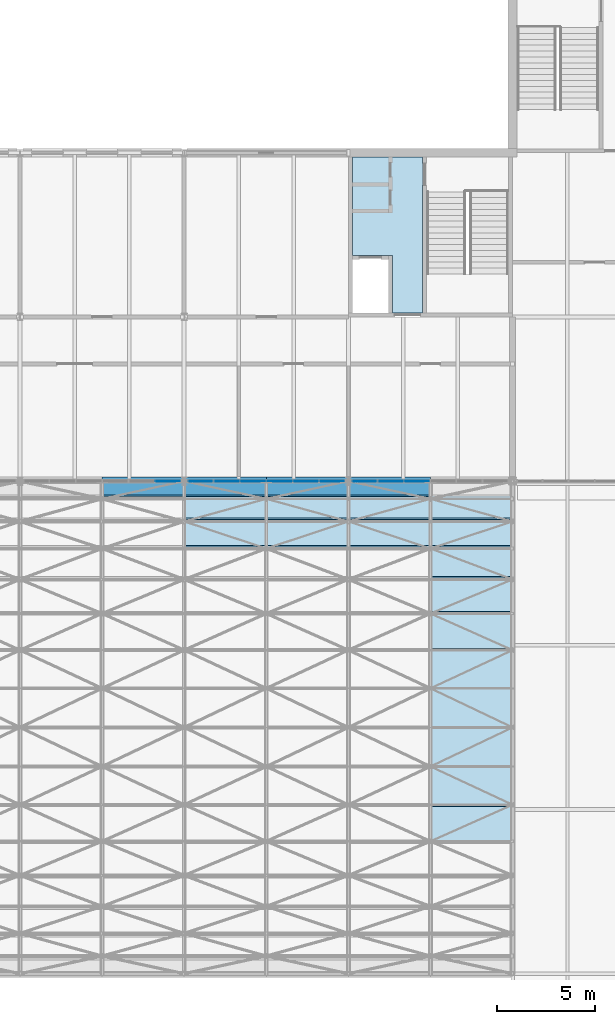
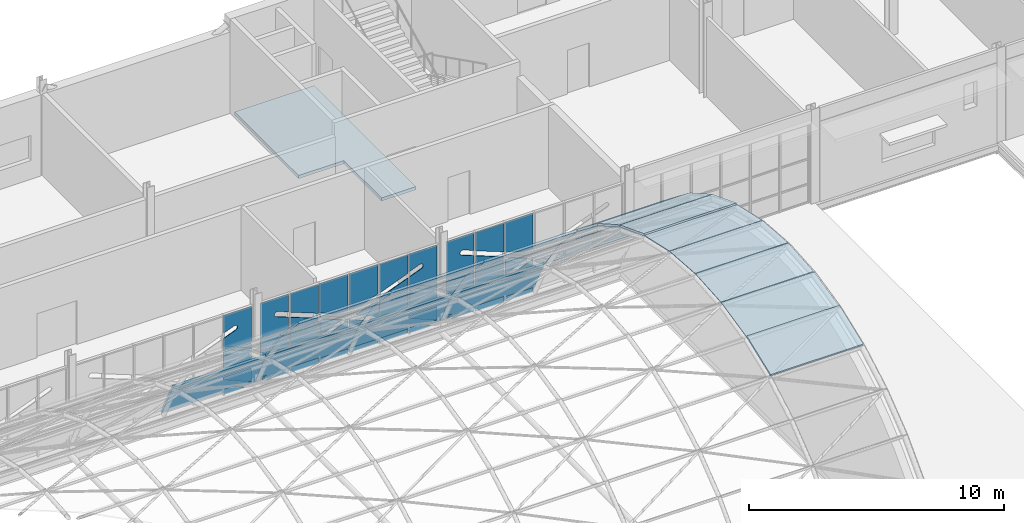
# One storey, part 78 of 121: 60 plates, 1 slab, 3 elements without a shape of their own.
"""IFC4 building model written with IfcOpenShell, lengths in metres."""

from ifc_helpers import new_model, si_unit, direction, frame, origin, place, context, subcontext, project, spatial, polyline, outline, extrude, material, layer, layer_set, type_object, element, aggregate, save


model = new_model("IFC4")

# Units and contexts
model_context = context("Model", 3, precision=1e-05, world=origin(), true_north=direction((0.0, 1.0)))
body_context = subcontext(model_context, "Body", "Model", "MODEL_VIEW")
ifc_project = project(units=[si_unit("LENGTHUNIT", "METRE"), si_unit("AREAUNIT", "SQUARE_METRE"), si_unit("VOLUMEUNIT", "CUBIC_METRE"), si_unit("PLANEANGLEUNIT", "RADIAN"), si_unit("MASSUNIT", "GRAM", prefix="KILO")], contexts=[model_context])

# Site, building, storey
site_placement = place(None, origin())
site = spatial("IfcSite", under=ifc_project, at=site_placement, CompositionType="ELEMENT")
building_placement = place(site_placement, origin())
building = spatial("IfcBuilding", under=site, at=building_placement, Name="Ardhachandra Cancer Care Centre", CompositionType="ELEMENT")
storey_placement = place(building_placement, frame((0.0, 0.0, 9.0)))
storey = spatial("IfcBuildingStorey", under=building, at=storey_placement, Name="L02", CompositionType="ELEMENT", Elevation=9.0)

# Slab
ifc_material_1 = material(Name="Concrete M40", Category="concrete")
ifc_layer_1 = layer(ifc_material_1, 0.14990234375)
ifc_layer_set_1 = layer_set([ifc_layer_1], Name="Concrete M40")
slab_type = type_object("IfcSlabType", Name="Core floor slab 150", PredefinedType="FLOOR", material=ifc_layer_set_1)
slab_placement = place(storey_placement, frame((0.0, 0.0, -0.14990234375)))
element("IfcSlab", 1, at=slab_placement, inside=storey, type_object=slab_type, Name="Core floor slab K7 L02 2", PredefinedType="FLOOR", context=body_context, shape_type="SweptSolid", body=[
    extrude(outline(polyline([(103.39990234375, 96.375), (103.39990234375, 91.35009765625), (105.25, 91.35009765625), (105.449951171875, 91.35009765625), (105.449951171875, 88.39990234375), (107.0, 88.39990234375), (107.0, 96.375), (103.39990234375, 96.375)])), origin(), (0.0, 0.0, 1.0), 0.14990234375),
])

# Curtain wall, plates
ifc_material_2 = material(Name="Aluminium extrusion", Category="aluminium")
ifc_layer_2 = layer(ifc_material_2, 0.14990234375)
ifc_layer_set_2 = layer_set([ifc_layer_2], Name="Aluminium extrusion")
curtain_wall_type = type_object("IfcCurtainWallType", Name="Curtain wall run", PredefinedType="NOTDEFINED", material=ifc_layer_set_2)
curtain_wall_1_placement = place(storey_placement, origin())
curtain_wall_1 = element("IfcCurtainWall", 2, at=curtain_wall_1_placement, inside=storey, type_object=curtain_wall_type, Name="Curtain wall L02 s/0086400_0079800", PredefinedType="NOTDEFINED")
ifc_material_3 = material(Name="Low-iron double-glazed unit")
ifc_layer_3 = layer(ifc_material_3, 0.028076171875)
ifc_layer_set_3 = layer_set([ifc_layer_3], Name="Low-iron double-glazed unit")
plate_type_1 = type_object("IfcPlateType", Name="Curtain wall glazing 28", PredefinedType="CURTAIN_PANEL", material=ifc_layer_set_3)
plate_1_placement = place(storey_placement, frame((93.330078125, 79.800048828125, 0.8701171875), z_axis=(0.0, 1.0, 0.0), x_axis=(1.0, 0.0, 0.0)))
plate_1 = element("IfcPlate", 3, at=plate_1_placement, type_object=plate_type_1, Name="CW panel 6.1", PredefinedType="CURTAIN_PANEL", context=body_context, shape_type="SweptSolid", body=[
    extrude(outline(polyline([(0.0, 0.0), (1.260009765625, 0.0), (1.260009765625, 0.6533203125), (0.0, 0.11669921875), (0.0, 0.0)])), origin(), (0.0, 0.0, 1.0), 0.028076171875),
])
plate_2_placement = place(storey_placement, frame((93.330078125, 79.800048828125, 0.06005859375), z_axis=(0.0, 1.0, 0.0), x_axis=(0.0, 0.0, 1.0)))
plate_2 = element("IfcPlate", 4, at=plate_2_placement, type_object=plate_type_1, Name="CW panel 6.1", PredefinedType="CURTAIN_PANEL", context=body_context, shape_type="SweptSolid", body=[
    extrude(outline(polyline([(0.0, 0.0), (0.438720703125, 0.0), (0.0, 1.030029296875), (0.0, 0.0)])), frame((0.0, 0.0, -0.028076171875)), (0.0, 0.0, 1.0), 0.028076171875),
])
plate_3_placement = place(storey_placement, frame((93.330078125, 79.800048828125, 0.929931640625), z_axis=(0.0, 1.0, 0.0), x_axis=(0.0, 0.0, 1.0)))
plate_3 = element("IfcPlate", 5, at=plate_3_placement, type_object=plate_type_1, Name="CW panel 6.2", PredefinedType="CURTAIN_PANEL", context=body_context, shape_type="SweptSolid", body=[
    extrude(outline(polyline([(0.0, 0.0), (1.14013671875, 0.0), (1.14013671875, 1.260009765625), (0.0, 1.260009765625), (0.0, 0.0)])), origin(), (0.0, 0.0, 1.0), 0.028076171875),
])
plate_4_placement = place(storey_placement, frame((93.330078125, 79.800048828125, 3.825927734375), z_axis=(0.0, 1.0, 0.0), x_axis=(1.0, 0.0, 0.0)))
plate_4 = element("IfcPlate", 6, at=plate_4_placement, type_object=plate_type_1, Name="CW panel 6.3", PredefinedType="CURTAIN_PANEL", context=body_context, shape_type="SweptSolid", body=[
    extrude(outline(polyline([(0.0, 0.0), (1.260009765625, 0.0), (1.260009765625, 1.696044921875), (0.0, 1.696044921875), (0.0, 1.0986328125), (0.572021484375, 0.875), (0.59130859375, 0.86279296875), (0.614990234375, 0.837646484375), (0.63037109375, 0.806884765625), (0.635986328125, 0.77294921875), (0.63427734375, 0.750244140625), (0.628173828125, 0.72802734375), (0.61767578125, 0.70751953125), (0.603515625, 0.689453125), (0.576416015625, 0.66845703125), (0.55517578125, 0.6591796875), (0.532958984375, 0.654296875), (0.510009765625, 0.65380859375), (0.476318359375, 0.661376953125), (0.0, 0.84716796875), (0.0, 0.0)])), origin(), (0.0, 0.0, 1.0), 0.028076171875),
])
aggregate(curtain_wall_1, [plate_1, plate_2, plate_3, plate_4])

curtain_wall_2_placement = place(storey_placement, origin())
curtain_wall_2 = element("IfcCurtainWall", 7, at=curtain_wall_2_placement, inside=storey, type_object=curtain_wall_type, Name="Curtain wall L02 s/0094800_0079800", PredefinedType="NOTDEFINED")
plate_5_placement = place(storey_placement, frame((96.27001953125, 79.800048828125, 0.06005859375), z_axis=(0.0, 1.0, 0.0), x_axis=(-1.0, 0.0, 0.0)))
plate_5 = element("IfcPlate", 8, at=plate_5_placement, type_object=plate_type_1, Name="CW panel 1.1", PredefinedType="CURTAIN_PANEL", context=body_context, shape_type="SweptSolid", body=[
    extrude(outline(polyline([(0.0, 0.0), (1.0302734375, 0.0), (0.0, 0.438720703125), (0.0, 0.0)])), origin(), (0.0, 0.0, 1.0), 0.028076171875),
])
plate_6_placement = place(storey_placement, frame((95.010009765625, 79.800048828125, 0.8701171875), z_axis=(0.0, 1.0, 0.0), x_axis=(1.0, 0.0, 0.0)))
plate_6 = element("IfcPlate", 9, at=plate_6_placement, type_object=plate_type_1, Name="CW panel 1.1", PredefinedType="CURTAIN_PANEL", context=body_context, shape_type="SweptSolid", body=[
    extrude(outline(polyline([(0.0, 0.0), (1.260009765625, 0.0), (1.260009765625, 0.11669921875), (0.0, 0.6533203125), (0.0, 0.0)])), frame((0.0, 0.0, -0.028076171875)), (0.0, 0.0, 1.0), 0.028076171875),
])
plate_7_placement = place(storey_placement, frame((95.010009765625, 79.800048828125, 0.929931640625), z_axis=(0.0, 1.0, 0.0), x_axis=(0.0, 0.0, 1.0)))
plate_7 = element("IfcPlate", 10, at=plate_7_placement, type_object=plate_type_1, Name="CW panel 1.2", PredefinedType="CURTAIN_PANEL", context=body_context, shape_type="SweptSolid", body=[
    extrude(outline(polyline([(0.0, 0.0), (1.14013671875, 0.0), (1.14013671875, 1.260009765625), (0.0, 1.260009765625), (0.0, 0.0)])), origin(), (0.0, 0.0, 1.0), 0.028076171875),
])
plate_8_placement = place(storey_placement, frame((96.27001953125, 79.800048828125, 2.1298828125), z_axis=(0.0, 1.0, 0.0), x_axis=(-1.0, 0.0, 0.0)))
plate_8 = element("IfcPlate", 11, at=plate_8_placement, type_object=plate_type_1, Name="CW panel 1.3", PredefinedType="CURTAIN_PANEL", context=body_context, shape_type="SweptSolid", body=[
    extrude(outline(polyline([(0.0, 0.0), (1.260009765625, 0.0), (1.260009765625, 1.696044921875), (0.0, 1.696044921875), (0.0, 0.848876953125), (0.4765625, 1.03466796875), (0.510009765625, 1.042236328125), (0.532958984375, 1.041748046875), (0.555419921875, 1.036865234375), (0.576416015625, 1.027587890625), (0.603515625, 1.006591796875), (0.61767578125, 0.988525390625), (0.628173828125, 0.968017578125), (0.63427734375, 0.94580078125), (0.63623046875, 0.923095703125), (0.63037109375, 0.88916015625), (0.62109375, 0.8681640625), (0.60009765625, 0.8408203125), (0.572021484375, 0.821044921875), (0.0, 0.597412109375), (0.0, 0.0)])), origin(), (0.0, 0.0, 1.0), 0.028076171875),
])
plate_9_placement = place(storey_placement, frame((97.6201171875, 79.800048828125, 0.8701171875), z_axis=(0.0, 1.0, 0.0), x_axis=(0.0, 0.0, -1.0)))
plate_9 = element("IfcPlate", 12, at=plate_9_placement, type_object=plate_type_1, Name="CW panel 2.1", PredefinedType="CURTAIN_PANEL", context=body_context, shape_type="SweptSolid", body=[
    extrude(outline(polyline([(0.0, 0.0), (0.81005859375, 0.0), (0.81005859375, 1.2900390625), (0.345703125, 1.2900390625), (0.0, 0.478515625), (0.0, 0.0)])), frame((0.0, 0.0, -0.028076171875)), (0.0, 0.0, 1.0), 0.028076171875),
])
plate_10_placement = place(storey_placement, frame((96.330078125, 79.800048828125, 0.929931640625), z_axis=(0.0, 1.0, 0.0), x_axis=(0.0, 0.0, 1.0)))
plate_10 = element("IfcPlate", 13, at=plate_10_placement, type_object=plate_type_1, Name="CW panel 2.2", PredefinedType="CURTAIN_PANEL", context=body_context, shape_type="SweptSolid", body=[
    extrude(outline(polyline([(0.0, 0.0), (1.14013671875, 0.0), (1.14013671875, 1.2900390625), (0.3984375, 1.2900390625), (0.0, 0.3544921875), (0.0, 0.0)])), origin(), (0.0, 0.0, 1.0), 0.028076171875),
])
plate_11_placement = place(storey_placement, frame((97.6201171875, 79.800048828125, 2.1298828125), z_axis=(0.0, 1.0, 0.0), x_axis=(-1.0, 0.0, 0.0)))
plate_11 = element("IfcPlate", 14, at=plate_11_placement, type_object=plate_type_1, Name="CW panel 2.3", PredefinedType="CURTAIN_PANEL", context=body_context, shape_type="SweptSolid", body=[
    extrude(outline(polyline([(0.0, 0.0), (1.2900390625, 0.0), (1.2900390625, 0.573974609375), (0.0, 0.0712890625), (0.0, 0.0)])), origin(), (0.0, 0.0, 1.0), 0.028076171875),
])
plate_12_placement = place(storey_placement, frame((96.330078125, 79.800048828125, 3.825927734375), z_axis=(0.0, 1.0, 0.0), x_axis=(1.0, 0.0, 0.0)))
plate_12 = element("IfcPlate", 15, at=plate_12_placement, type_object=plate_type_1, Name="CW panel 2.3", PredefinedType="CURTAIN_PANEL", context=body_context, shape_type="SweptSolid", body=[
    extrude(outline(polyline([(0.0, 0.0), (1.2900390625, 0.0), (1.2900390625, 1.373291015625), (0.0, 0.87060546875), (0.0, 0.0)])), frame((0.0, 0.0, -0.028076171875)), (0.0, 0.0, 1.0), 0.028076171875),
])
plate_13_placement = place(storey_placement, frame((97.679931640625, 79.800048828125, 0.06005859375), z_axis=(0.0, 1.0, 0.0), x_axis=(0.0, 0.0, 1.0)))
plate_13 = element("IfcPlate", 16, at=plate_13_placement, type_object=plate_type_1, Name="CW panel 3.1", PredefinedType="CURTAIN_PANEL", context=body_context, shape_type="SweptSolid", body=[
    extrude(outline(polyline([(0.0, 0.0), (0.81005859375, 0.0), (0.81005859375, 1.2900390625), (0.0, 1.2900390625), (0.0, 0.0)])), origin(), (0.0, 0.0, 1.0), 0.028076171875),
])
plate_14_placement = place(storey_placement, frame((98.969970703125, 79.800048828125, 0.929931640625), z_axis=(0.0, 1.0, 0.0), x_axis=(-1.0, 0.0, 0.0)))
plate_14 = element("IfcPlate", 17, at=plate_14_placement, type_object=plate_type_1, Name="CW panel 3.2", PredefinedType="CURTAIN_PANEL", context=body_context, shape_type="SweptSolid", body=[
    extrude(outline(polyline([(0.0, 0.0), (1.2900390625, 0.0), (1.2900390625, 0.16943359375), (0.0, 0.718994140625), (0.0, 0.0)])), origin(), (0.0, 0.0, 1.0), 0.028076171875),
])
plate_15_placement = place(storey_placement, frame((97.679931640625, 79.800048828125, 2.070068359375), z_axis=(0.0, 1.0, 0.0), x_axis=(1.0, 0.0, 0.0)))
plate_15 = element("IfcPlate", 18, at=plate_15_placement, type_object=plate_type_1, Name="CW panel 3.2", PredefinedType="CURTAIN_PANEL", context=body_context, shape_type="SweptSolid", body=[
    extrude(outline(polyline([(0.0, 0.0), (0.2763671875, 0.0), (1.009765625, 0.285888671875), (0.0, 0.716064453125), (0.0, 0.0)])), frame((0.0, 0.0, -0.028076171875)), (0.0, 0.0, 1.0), 0.028076171875),
])
plate_16_placement = place(storey_placement, frame((97.679931640625, 79.800048828125, 3.825927734375), z_axis=(0.0, 1.0, 0.0), x_axis=(1.0, 0.0, 0.0)))
plate_16 = element("IfcPlate", 19, at=plate_16_placement, type_object=plate_type_1, Name="CW panel 3.3", PredefinedType="CURTAIN_PANEL", context=body_context, shape_type="SweptSolid", body=[
    extrude(outline(polyline([(0.0, 0.0), (1.2900390625, 0.0), (1.2900390625, 1.696044921875), (0.767578125, 1.696044921875), (0.0, 1.396728515625), (0.0, 0.0)])), origin(), (0.0, 0.0, 1.0), 0.028076171875),
])
plate_17_placement = place(storey_placement, frame((99.030029296875, 79.800048828125, 0.06005859375), z_axis=(0.0, 1.0, 0.0), x_axis=(0.0, 0.0, 1.0)))
plate_17 = element("IfcPlate", 20, at=plate_17_placement, type_object=plate_type_1, Name="CW panel 4.1", PredefinedType="CURTAIN_PANEL", context=body_context, shape_type="SweptSolid", body=[
    extrude(outline(polyline([(0.0, 0.0), (0.81005859375, 0.0), (0.81005859375, 1.2900390625), (0.0, 1.2900390625), (0.0, 0.0)])), origin(), (0.0, 0.0, 1.0), 0.028076171875),
])
plate_18_placement = place(storey_placement, frame((100.320068359375, 79.800048828125, 0.929931640625), z_axis=(0.0, 1.0, 0.0), x_axis=(-1.0, 0.0, 0.0)))
plate_18 = element("IfcPlate", 21, at=plate_18_placement, type_object=plate_type_1, Name="CW panel 4.2", PredefinedType="CURTAIN_PANEL", context=body_context, shape_type="SweptSolid", body=[
    extrude(outline(polyline([(0.0, 0.0), (1.2900390625, 0.0), (1.2900390625, 0.718994140625), (0.0, 0.16943359375), (0.0, 0.0)])), origin(), (0.0, 0.0, 1.0), 0.028076171875),
])
plate_19_placement = place(storey_placement, frame((100.320068359375, 79.800048828125, 2.070068359375), z_axis=(0.0, 1.0, 0.0), x_axis=(0.0, 0.0, -1.0)))
plate_19 = element("IfcPlate", 22, at=plate_19_placement, type_object=plate_type_1, Name="CW panel 4.2", PredefinedType="CURTAIN_PANEL", context=body_context, shape_type="SweptSolid", body=[
    extrude(outline(polyline([(0.0, 0.0), (0.716064453125, 0.0), (0.285888671875, 1.009765625), (0.0, 0.2763671875), (0.0, 0.0)])), frame((0.0, 0.0, -0.028076171875)), (0.0, 0.0, 1.0), 0.028076171875),
])
plate_20_placement = place(storey_placement, frame((99.030029296875, 79.800048828125, 2.1298828125), z_axis=(0.0, 1.0, 0.0), x_axis=(0.0, 0.0, 1.0)))
plate_20 = element("IfcPlate", 23, at=plate_20_placement, type_object=plate_type_1, Name="CW panel 4.3", PredefinedType="CURTAIN_PANEL", context=body_context, shape_type="SweptSolid", body=[
    extrude(outline(polyline([(0.0, 0.0), (1.696044921875, 0.0), (1.696044921875, 1.2900390625), (0.29931640625, 1.2900390625), (0.0, 0.5224609375), (0.0, 0.0)])), origin(), (0.0, 0.0, 1.0), 0.028076171875),
])
plate_21_placement = place(storey_placement, frame((101.669921875, 79.800048828125, 0.06005859375), z_axis=(0.0, 1.0, 0.0), x_axis=(-1.0, 0.0, 0.0)))
plate_21 = element("IfcPlate", 24, at=plate_21_placement, type_object=plate_type_1, Name="CW panel 5.1", PredefinedType="CURTAIN_PANEL", context=body_context, shape_type="SweptSolid", body=[
    extrude(outline(polyline([(0.0, 0.0), (1.2900390625, 0.0), (1.2900390625, 0.81005859375), (0.8115234375, 0.81005859375), (0.0, 0.46435546875), (0.0, 0.0)])), origin(), (0.0, 0.0, 1.0), 0.028076171875),
])
plate_22_placement = place(storey_placement, frame((100.3798828125, 79.800048828125, 2.070068359375), z_axis=(0.0, 1.0, 0.0), x_axis=(1.0, 0.0, 0.0)))
plate_22 = element("IfcPlate", 25, at=plate_22_placement, type_object=plate_type_1, Name="CW panel 5.2", PredefinedType="CURTAIN_PANEL", context=body_context, shape_type="SweptSolid", body=[
    extrude(outline(polyline([(0.0, 0.0), (1.2900390625, 0.0), (1.2900390625, 1.14013671875), (0.935546875, 1.14013671875), (0.0, 0.74169921875), (0.0, 0.0)])), origin(), (0.0, 0.0, 1.0), 0.028076171875),
])
plate_23_placement = place(storey_placement, frame((101.669921875, 79.800048828125, 2.1298828125), z_axis=(0.0, 1.0, 0.0), x_axis=(-1.0, 0.0, 0.0)))
plate_23 = element("IfcPlate", 26, at=plate_23_placement, type_object=plate_type_1, Name="CW panel 5.3", PredefinedType="CURTAIN_PANEL", context=body_context, shape_type="SweptSolid", body=[
    extrude(outline(polyline([(0.0, 0.0), (1.2900390625, 0.0), (1.2900390625, 0.0712890625), (0.0, 0.573974609375), (0.0, 0.0)])), origin(), (0.0, 0.0, 1.0), 0.028076171875),
])
plate_24_placement = place(storey_placement, frame((100.3798828125, 79.800048828125, 3.825927734375), z_axis=(0.0, 1.0, 0.0), x_axis=(1.0, 0.0, 0.0)))
plate_24 = element("IfcPlate", 27, at=plate_24_placement, type_object=plate_type_1, Name="CW panel 5.3", PredefinedType="CURTAIN_PANEL", context=body_context, shape_type="SweptSolid", body=[
    extrude(outline(polyline([(0.0, 0.0), (1.2900390625, 0.0), (1.2900390625, 0.87060546875), (0.0, 1.373291015625), (0.0, 0.0)])), frame((0.0, 0.0, -0.028076171875)), (0.0, 0.0, 1.0), 0.028076171875),
])
plate_25_placement = place(storey_placement, frame((101.72998046875, 79.800048828125, 0.8701171875), z_axis=(0.0, 1.0, 0.0), x_axis=(1.0, 0.0, 0.0)))
plate_25 = element("IfcPlate", 28, at=plate_25_placement, type_object=plate_type_1, Name="CW panel 6.1", PredefinedType="CURTAIN_PANEL", context=body_context, shape_type="SweptSolid", body=[
    extrude(outline(polyline([(0.0, 0.0), (1.260009765625, 0.0), (1.260009765625, 0.6533203125), (0.0, 0.11669921875), (0.0, 0.0)])), origin(), (0.0, 0.0, 1.0), 0.028076171875),
])
plate_26_placement = place(storey_placement, frame((101.72998046875, 79.800048828125, 0.06005859375), z_axis=(0.0, 1.0, 0.0), x_axis=(0.0, 0.0, 1.0)))
plate_26 = element("IfcPlate", 29, at=plate_26_placement, type_object=plate_type_1, Name="CW panel 6.1", PredefinedType="CURTAIN_PANEL", context=body_context, shape_type="SweptSolid", body=[
    extrude(outline(polyline([(0.0, 0.0), (0.438720703125, 0.0), (0.0, 1.0302734375), (0.0, 0.0)])), frame((0.0, 0.0, -0.028076171875)), (0.0, 0.0, 1.0), 0.028076171875),
])
plate_27_placement = place(storey_placement, frame((101.72998046875, 79.800048828125, 0.929931640625), z_axis=(0.0, 1.0, 0.0), x_axis=(0.0, 0.0, 1.0)))
plate_27 = element("IfcPlate", 30, at=plate_27_placement, type_object=plate_type_1, Name="CW panel 6.2", PredefinedType="CURTAIN_PANEL", context=body_context, shape_type="SweptSolid", body=[
    extrude(outline(polyline([(0.0, 0.0), (1.14013671875, 0.0), (1.14013671875, 1.260009765625), (0.0, 1.260009765625), (0.0, 0.0)])), origin(), (0.0, 0.0, 1.0), 0.028076171875),
])
plate_28_placement = place(storey_placement, frame((101.72998046875, 79.800048828125, 3.825927734375), z_axis=(0.0, 1.0, 0.0), x_axis=(1.0, 0.0, 0.0)))
plate_28 = element("IfcPlate", 31, at=plate_28_placement, type_object=plate_type_1, Name="CW panel 6.3", PredefinedType="CURTAIN_PANEL", context=body_context, shape_type="SweptSolid", body=[
    extrude(outline(polyline([(0.0, 0.0), (1.260009765625, 0.0), (1.260009765625, 1.696044921875), (0.0, 1.696044921875), (0.0, 1.0986328125), (0.572021484375, 0.875), (0.59130859375, 0.86279296875), (0.614990234375, 0.837646484375), (0.63037109375, 0.806884765625), (0.63623046875, 0.77294921875), (0.63427734375, 0.750244140625), (0.628173828125, 0.72802734375), (0.61767578125, 0.70751953125), (0.603515625, 0.689453125), (0.576416015625, 0.66845703125), (0.555419921875, 0.6591796875), (0.532958984375, 0.654296875), (0.510009765625, 0.65380859375), (0.4765625, 0.661376953125), (0.0, 0.84716796875), (0.0, 0.0)])), origin(), (0.0, 0.0, 1.0), 0.028076171875),
])
aggregate(curtain_wall_2, [plate_5, plate_6, plate_7, plate_8, plate_9, plate_10, plate_11, plate_12, plate_13, plate_14, plate_15, plate_16, plate_17, plate_18, plate_19, plate_20, plate_21, plate_22, plate_23, plate_24, plate_25, plate_26, plate_27, plate_28])

curtain_wall_3_placement = place(storey_placement, origin())
curtain_wall_3 = element("IfcCurtainWall", 32, at=curtain_wall_3_placement, inside=storey, type_object=curtain_wall_type, Name="Curtain wall L02 s/0103200_0079800", PredefinedType="NOTDEFINED")
plate_29_placement = place(storey_placement, frame((104.662109375, 79.800048828125, 0.06005859375), z_axis=(0.0, 1.0, 0.0), x_axis=(-1.0, 0.0, 0.0)))
plate_29 = element("IfcPlate", 33, at=plate_29_placement, type_object=plate_type_1, Name="CW panel 1.1", PredefinedType="CURTAIN_PANEL", context=body_context, shape_type="SweptSolid", body=[
    extrude(outline(polyline([(0.0, 0.0), (1.022216796875, 0.0), (0.0, 0.435302734375), (0.0, 0.0)])), origin(), (0.0, 0.0, 1.0), 0.028076171875),
])
plate_30_placement = place(storey_placement, frame((103.409912109375, 79.800048828125, 0.8701171875), z_axis=(0.0, 1.0, 0.0), x_axis=(1.0, 0.0, 0.0)))
plate_30 = element("IfcPlate", 34, at=plate_30_placement, type_object=plate_type_1, Name="CW panel 1.1", PredefinedType="CURTAIN_PANEL", context=body_context, shape_type="SweptSolid", body=[
    extrude(outline(polyline([(0.0, 0.0), (1.252197265625, 0.0), (1.252197265625, 0.1201171875), (0.0, 0.6533203125), (0.0, 0.0)])), frame((0.0, 0.0, -0.028076171875)), (0.0, 0.0, 1.0), 0.028076171875),
])
plate_31_placement = place(storey_placement, frame((103.409912109375, 79.800048828125, 0.929931640625), z_axis=(0.0, 1.0, 0.0), x_axis=(0.0, 0.0, 1.0)))
plate_31 = element("IfcPlate", 35, at=plate_31_placement, type_object=plate_type_1, Name="CW panel 1.2", PredefinedType="CURTAIN_PANEL", context=body_context, shape_type="SweptSolid", body=[
    extrude(outline(polyline([(0.0, 0.0), (1.14013671875, 0.0), (1.14013671875, 1.252197265625), (0.0, 1.252197265625), (0.0, 0.0)])), origin(), (0.0, 0.0, 1.0), 0.028076171875),
])
plate_32_placement = place(storey_placement, frame((104.662109375, 79.800048828125, 2.1298828125), z_axis=(0.0, 1.0, 0.0), x_axis=(-1.0, 0.0, 0.0)))
plate_32 = element("IfcPlate", 36, at=plate_32_placement, type_object=plate_type_1, Name="CW panel 1.3", PredefinedType="CURTAIN_PANEL", context=body_context, shape_type="SweptSolid", body=[
    extrude(outline(polyline([(0.0, 0.0), (1.252197265625, 0.0), (1.252197265625, 1.696044921875), (0.0, 1.696044921875), (0.0, 0.85205078125), (0.468505859375, 1.03466796875), (0.502197265625, 1.042236328125), (0.525146484375, 1.041748046875), (0.54736328125, 1.036865234375), (0.568603515625, 1.027587890625), (0.595703125, 1.006591796875), (0.60986328125, 0.988525390625), (0.620361328125, 0.968017578125), (0.62646484375, 0.94580078125), (0.628173828125, 0.923095703125), (0.62255859375, 0.88916015625), (0.61328125, 0.8681640625), (0.59228515625, 0.8408203125), (0.564208984375, 0.821044921875), (0.0, 0.6005859375), (0.0, 0.0)])), origin(), (0.0, 0.0, 1.0), 0.028076171875),
])
plate_33_placement = place(storey_placement, frame((106.004150390625, 79.800048828125, 0.8701171875), z_axis=(0.0, 1.0, 0.0), x_axis=(0.0, 0.0, -1.0)))
plate_33 = element("IfcPlate", 37, at=plate_33_placement, type_object=plate_type_1, Name="CW panel 2.1", PredefinedType="CURTAIN_PANEL", context=body_context, shape_type="SweptSolid", body=[
    extrude(outline(polyline([(0.0, 0.0), (0.81005859375, 0.0), (0.81005859375, 1.281982421875), (0.34912109375, 1.281982421875), (0.0, 0.462646484375), (0.0, 0.0)])), frame((0.0, 0.0, -0.028076171875)), (0.0, 0.0, 1.0), 0.028076171875),
])
plate_34_placement = place(storey_placement, frame((104.72216796875, 79.800048828125, 0.929931640625), z_axis=(0.0, 1.0, 0.0), x_axis=(0.0, 0.0, 1.0)))
plate_34 = element("IfcPlate", 38, at=plate_34_placement, type_object=plate_type_1, Name="CW panel 2.2", PredefinedType="CURTAIN_PANEL", context=body_context, shape_type="SweptSolid", body=[
    extrude(outline(polyline([(0.0, 0.0), (1.14013671875, 0.0), (1.14013671875, 1.281982421875), (0.391845703125, 1.281982421875), (0.0, 0.3623046875), (0.0, 0.0)])), origin(), (0.0, 0.0, 1.0), 0.028076171875),
])
plate_35_placement = place(storey_placement, frame((106.004150390625, 79.800048828125, 2.1298828125), z_axis=(0.0, 1.0, 0.0), x_axis=(-1.0, 0.0, 0.0)))
plate_35 = element("IfcPlate", 39, at=plate_35_placement, type_object=plate_type_1, Name="CW panel 2.3", PredefinedType="CURTAIN_PANEL", context=body_context, shape_type="SweptSolid", body=[
    extrude(outline(polyline([(0.0, 0.0), (1.281982421875, 0.0), (1.281982421875, 0.5771484375), (0.0, 0.077392578125), (0.0, 0.0)])), origin(), (0.0, 0.0, 1.0), 0.028076171875),
])
plate_36_placement = place(storey_placement, frame((104.72216796875, 79.800048828125, 3.825927734375), z_axis=(0.0, 1.0, 0.0), x_axis=(1.0, 0.0, 0.0)))
plate_36 = element("IfcPlate", 40, at=plate_36_placement, type_object=plate_type_1, Name="CW panel 2.3", PredefinedType="CURTAIN_PANEL", context=body_context, shape_type="SweptSolid", body=[
    extrude(outline(polyline([(0.0, 0.0), (1.281982421875, 0.0), (1.281982421875, 1.3671875), (0.0, 0.867431640625), (0.0, 0.0)])), frame((0.0, 0.0, -0.028076171875)), (0.0, 0.0, 1.0), 0.028076171875),
])
plate_37_placement = place(storey_placement, frame((106.064208984375, 79.800048828125, 0.06005859375), z_axis=(0.0, 1.0, 0.0), x_axis=(0.0, 0.0, 1.0)))
plate_37 = element("IfcPlate", 41, at=plate_37_placement, type_object=plate_type_1, Name="CW panel 3.1", PredefinedType="CURTAIN_PANEL", context=body_context, shape_type="SweptSolid", body=[
    extrude(outline(polyline([(0.0, 0.0), (0.81005859375, 0.0), (0.81005859375, 1.281982421875), (0.0, 1.281982421875), (0.0, 0.0)])), origin(), (0.0, 0.0, 1.0), 0.028076171875),
])
plate_38_placement = place(storey_placement, frame((107.34619140625, 79.800048828125, 0.929931640625), z_axis=(0.0, 1.0, 0.0), x_axis=(-1.0, 0.0, 0.0)))
plate_38 = element("IfcPlate", 42, at=plate_38_placement, type_object=plate_type_1, Name="CW panel 3.2", PredefinedType="CURTAIN_PANEL", context=body_context, shape_type="SweptSolid", body=[
    extrude(outline(polyline([(0.0, 0.0), (1.281982421875, 0.0), (1.281982421875, 0.16259765625), (0.0, 0.708740234375), (0.0, 0.0)])), origin(), (0.0, 0.0, 1.0), 0.028076171875),
])
plate_39_placement = place(storey_placement, frame((106.064208984375, 79.800048828125, 2.070068359375), z_axis=(0.0, 1.0, 0.0), x_axis=(1.0, 0.0, 0.0)))
plate_39 = element("IfcPlate", 43, at=plate_39_placement, type_object=plate_type_1, Name="CW panel 3.2", PredefinedType="CURTAIN_PANEL", context=body_context, shape_type="SweptSolid", body=[
    extrude(outline(polyline([(0.0, 0.0), (0.2919921875, 0.0), (1.025634765625, 0.285888671875), (0.0, 0.722900390625), (0.0, 0.0)])), frame((0.0, 0.0, -0.028076171875)), (0.0, 0.0, 1.0), 0.028076171875),
])
plate_40_placement = place(storey_placement, frame((106.064208984375, 79.800048828125, 3.825927734375), z_axis=(0.0, 1.0, 0.0), x_axis=(1.0, 0.0, 0.0)))
plate_40 = element("IfcPlate", 44, at=plate_40_placement, type_object=plate_type_1, Name="CW panel 3.3", PredefinedType="CURTAIN_PANEL", context=body_context, shape_type="SweptSolid", body=[
    extrude(outline(polyline([(0.0, 0.0), (1.281982421875, 0.0), (1.281982421875, 1.696044921875), (0.783203125, 1.696044921875), (0.0, 1.390625), (0.0, 0.0)])), origin(), (0.0, 0.0, 1.0), 0.028076171875),
])
aggregate(curtain_wall_3, [plate_29, plate_30, plate_31, plate_32, plate_33, plate_34, plate_35, plate_36, plate_37, plate_38, plate_39, plate_40])

# Plates
ifc_material_4 = material(Name="Laminated heat-strengthened double-glazed unit")
ifc_layer_4 = layer(ifc_material_4, 0.035888671875)
ifc_layer_set_4 = layer_set([ifc_layer_4], Name="Laminated heat-strengthened double-glazed unit")
plate_type_2 = type_object("IfcPlateType", Name="Gridshell glazing 36", PredefinedType="SHEET", material=ifc_layer_set_4)
for number, where, z_axis, x_axis, name in (
    (45, (107.39990234375, 63.2177734375, 7.93359375), (0.0, -0.218735449514, 0.975784199055), (1.0, 0.0, 0.0), "Glazed cell H 16.7"),
    (46, (107.39990234375, 65.191650390625, 8.374755859375), (0.0, -0.073436541071, 0.997299891926), (1.0, 0.0, 0.0), "Glazed cell H 16.8"),
    (47, (107.39990234375, 67.208984375, 8.52197265625), (0.0, 0.073436541071, 0.997299891926), (1.0, 0.0, 0.0), "Glazed cell H 16.9"),
):
    element("IfcPlate", number, at=place(storey_placement, frame(where, z_axis=z_axis, x_axis=x_axis)), inside=storey, type_object=plate_type_2, Name=name, PredefinedType="SHEET", context=body_context, shape_type="SweptSolid", body=[
        extrude(outline(polyline([(0.0, 0.0), (4.2001953125, 0.0), (4.2001953125, 2.004638671875), (0.0, 2.004638671875), (0.0, 0.0)])), origin(), (0.0, 0.0, 1.0), 0.035888671875),
    ])
plate_41_placement = place(storey_placement, frame((107.39990234375, 69.22607421875, 8.3720703125), z_axis=(0.0, 0.218709457766, 0.9757900251), x_axis=(1.0, 0.0, 0.0)))
element("IfcPlate", 48, at=plate_41_placement, inside=storey, type_object=plate_type_2, Name="Glazed cell H 16.10", PredefinedType="SHEET", context=body_context, shape_type="SweptSolid", body=[
    extrude(outline(polyline([(0.0, 0.0), (4.2001953125, 0.0), (4.2001953125, 2.0048828125), (0.0, 2.0048828125), (0.0, 0.0)])), origin(), (0.0, 0.0, 1.0), 0.035888671875),
])
ifc_material_5 = material(Name="Insulated metal roof panel (galvalume skins, PIR core)")
ifc_layer_5 = layer(ifc_material_5, 0.10009765625)
ifc_layer_set_5 = layer_set([ifc_layer_5], Name="Insulated metal roof panel (galvalume skins, PIR core)")
plate_type_3 = type_object("IfcPlateType", Name="Gridshell insulated panel 100", PredefinedType="SHEET", material=ifc_layer_set_5)
plate_42_placement = place(storey_placement, frame((90.60009765625, 79.004150390625, 1.843994140625), z_axis=(0.0, 0.892298140355, 0.451446595645), x_axis=(1.0, 0.0, 0.0)))
element("IfcPlate", 49, at=plate_42_placement, inside=storey, type_object=plate_type_3, Name="Roof cell H 12.16", PredefinedType="SHEET", context=body_context, shape_type="SweptSolid", body=[
    extrude(outline(polyline([(0.0, 0.0), (4.199951171875, 0.0), (4.199951171875, 2.004638671875), (0.0, 2.004638671875), (0.0, 0.0)])), origin(), (0.0, 0.0, 1.0), 0.10009765625),
])
plate_43_placement = place(storey_placement, frame((94.800048828125, 76.44189453125, 4.96044921875), z_axis=(0.0, 0.723236652239, 0.690600278641), x_axis=(1.0, 0.0, 0.0)))
element("IfcPlate", 50, at=plate_43_placement, inside=storey, type_object=plate_type_3, Name="Roof cell H 13.14", PredefinedType="SHEET", context=body_context, shape_type="SweptSolid", body=[
    extrude(outline(polyline([(0.0, 0.0), (4.199951171875, 0.0), (4.199951171875, 2.0048828125), (0.0, 2.0048828125), (0.0, 0.0)])), origin(), (0.0, 0.0, 1.0), 0.10009765625),
])
for number, where, z_axis, x_axis, name in (
    (51, (94.800048828125, 77.837890625, 3.49658203125), (0.0, 0.816660624076, 0.577118207202), (1.0, 0.0, 0.0), "Roof cell H 13.15"),
    (52, (94.800048828125, 79.004150390625, 1.843994140625), (0.0, 0.892298140355, 0.451446595645), (1.0, 0.0, 0.0), "Roof cell H 13.16"),
):
    element("IfcPlate", number, at=place(storey_placement, frame(where, z_axis=z_axis, x_axis=x_axis)), inside=storey, type_object=plate_type_3, Name=name, PredefinedType="SHEET", context=body_context, shape_type="SweptSolid", body=[
        extrude(outline(polyline([(0.0, 0.0), (4.199951171875, 0.0), (4.199951171875, 2.004638671875), (0.0, 2.004638671875), (0.0, 0.0)])), origin(), (0.0, 0.0, 1.0), 0.10009765625),
    ])
plate_44_placement = place(storey_placement, frame((99.0, 76.44189453125, 4.96044921875), z_axis=(0.0, 0.723236652239, 0.690600278641), x_axis=(1.0, 0.0, 0.0)))
element("IfcPlate", 53, at=plate_44_placement, inside=storey, type_object=plate_type_3, Name="Roof cell H 14.14", PredefinedType="SHEET", context=body_context, shape_type="SweptSolid", body=[
    extrude(outline(polyline([(0.0, 0.0), (4.199951171875, 0.0), (4.199951171875, 2.0048828125), (0.0, 2.0048828125), (0.0, 0.0)])), origin(), (0.0, 0.0, 1.0), 0.10009765625),
])
for number, where, z_axis, x_axis, name in (
    (54, (99.0, 77.837890625, 3.49658203125), (0.0, 0.816660624076, 0.577118207202), (1.0, 0.0, 0.0), "Roof cell H 14.15"),
    (55, (99.0, 79.004150390625, 1.843994140625), (0.0, 0.892298140355, 0.451446595645), (1.0, 0.0, 0.0), "Roof cell H 14.16"),
):
    element("IfcPlate", number, at=place(storey_placement, frame(where, z_axis=z_axis, x_axis=x_axis)), inside=storey, type_object=plate_type_3, Name=name, PredefinedType="SHEET", context=body_context, shape_type="SweptSolid", body=[
        extrude(outline(polyline([(0.0, 0.0), (4.199951171875, 0.0), (4.199951171875, 2.004638671875), (0.0, 2.004638671875), (0.0, 0.0)])), origin(), (0.0, 0.0, 1.0), 0.10009765625),
    ])
plate_45_placement = place(storey_placement, frame((103.199951171875, 76.44189453125, 4.96044921875), z_axis=(0.0, 0.723236652239, 0.690600278641), x_axis=(1.0, 0.0, 0.0)))
element("IfcPlate", 56, at=plate_45_placement, inside=storey, type_object=plate_type_3, Name="Roof cell H 15.14", PredefinedType="SHEET", context=body_context, shape_type="SweptSolid", body=[
    extrude(outline(polyline([(0.0, 0.0), (4.199951171875, 0.0), (4.199951171875, 2.0048828125), (0.0, 2.0048828125), (0.0, 0.0)])), origin(), (0.0, 0.0, 1.0), 0.10009765625),
])
for number, where, z_axis, x_axis, name in (
    (57, (103.199951171875, 77.837890625, 3.49658203125), (0.0, 0.816660624076, 0.577118207202), (1.0, 0.0, 0.0), "Roof cell H 15.15"),
    (58, (103.199951171875, 79.004150390625, 1.843994140625), (0.0, 0.892298140355, 0.451446595645), (1.0, 0.0, 0.0), "Roof cell H 15.16"),
):
    element("IfcPlate", number, at=place(storey_placement, frame(where, z_axis=z_axis, x_axis=x_axis)), inside=storey, type_object=plate_type_3, Name=name, PredefinedType="SHEET", context=body_context, shape_type="SweptSolid", body=[
        extrude(outline(polyline([(0.0, 0.0), (4.199951171875, 0.0), (4.199951171875, 2.004638671875), (0.0, 2.004638671875), (0.0, 0.0)])), origin(), (0.0, 0.0, 1.0), 0.10009765625),
    ])
for number, where, z_axis, x_axis, name in (
    (59, (107.39990234375, 61.32958984375, 7.2080078125), (0.0, -0.359370750226, 0.93319486919), (1.0, 0.0, 0.0), "Roof cell H 16.6"),
    (60, (107.39990234375, 71.199462890625, 7.928466796875), (0.0, 0.359370750226, 0.93319486919), (1.0, 0.0, 0.0), "Roof cell H 16.11"),
):
    element("IfcPlate", number, at=place(storey_placement, frame(where, z_axis=z_axis, x_axis=x_axis)), inside=storey, type_object=plate_type_3, Name=name, PredefinedType="SHEET", context=body_context, shape_type="SweptSolid", body=[
        extrude(outline(polyline([(0.0, 0.0), (4.2001953125, 0.0), (4.2001953125, 2.0048828125), (0.0, 2.0048828125), (0.0, 0.0)])), origin(), (0.0, 0.0, 1.0), 0.10009765625),
    ])
plate_46_placement = place(storey_placement, frame((107.39990234375, 73.086669921875, 7.200439453125), z_axis=(0.0, 0.492133501312, 0.870519739515), x_axis=(1.0, 0.0, 0.0)))
element("IfcPlate", 61, at=plate_46_placement, inside=storey, type_object=plate_type_3, Name="Roof cell H 16.12", PredefinedType="SHEET", context=body_context, shape_type="SweptSolid", body=[
    extrude(outline(polyline([(0.0, 0.0), (4.2001953125, 0.0), (4.2001953125, 2.004638671875), (0.0, 2.004638671875), (0.0, 0.0)])), origin(), (0.0, 0.0, 1.0), 0.10009765625),
])
for number, where, z_axis, x_axis, name in (
    (62, (107.39990234375, 74.8466796875, 6.203857421875), (0.0, 0.614244074324, 0.789116098656), (1.0, 0.0, 0.0), "Roof cell H 16.13"),
    (63, (107.39990234375, 76.44189453125, 4.96044921875), (0.0, 0.723236652239, 0.690600278641), (1.0, 0.0, 0.0), "Roof cell H 16.14"),
):
    element("IfcPlate", number, at=place(storey_placement, frame(where, z_axis=z_axis, x_axis=x_axis)), inside=storey, type_object=plate_type_3, Name=name, PredefinedType="SHEET", context=body_context, shape_type="SweptSolid", body=[
        extrude(outline(polyline([(0.0, 0.0), (4.2001953125, 0.0), (4.2001953125, 2.0048828125), (0.0, 2.0048828125), (0.0, 0.0)])), origin(), (0.0, 0.0, 1.0), 0.10009765625),
    ])
plate_47_placement = place(storey_placement, frame((107.39990234375, 77.837890625, 3.49658203125), z_axis=(0.0, 0.816660624076, 0.577118207202), x_axis=(1.0, 0.0, 0.0)))
element("IfcPlate", 64, at=plate_47_placement, inside=storey, type_object=plate_type_3, Name="Roof cell H 16.15", PredefinedType="SHEET", context=body_context, shape_type="SweptSolid", body=[
    extrude(outline(polyline([(0.0, 0.0), (4.2001953125, 0.0), (4.2001953125, 2.004638671875), (0.0, 2.004638671875), (0.0, 0.0)])), origin(), (0.0, 0.0, 1.0), 0.10009765625),
])

save(model, "model.ifc")
